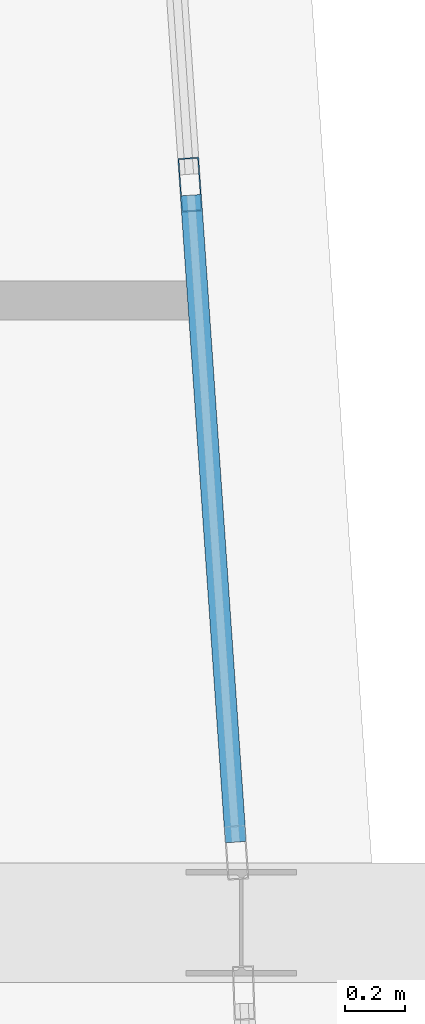
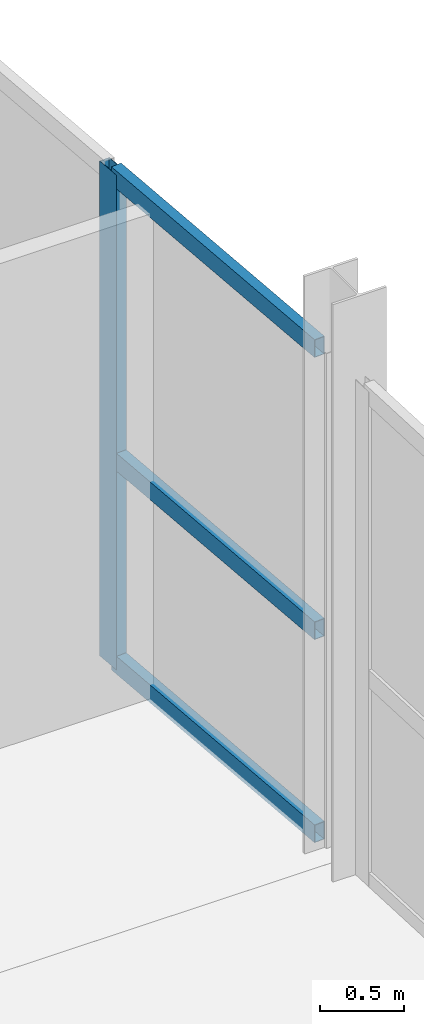
# One storey, part 5 of 17: 4 members, 1 element without a shape of its own.
"""IFC4 building model written with IfcOpenShell, lengths in metres."""

from ifc_helpers import new_model, si_unit, direction, frame, origin, origin_2d, place, context, subcontext, project, spatial, hollow_rectangle, extrude, material, layer, layer_set, material_profile, profile_set, type_object, element, aggregate, save


model = new_model("IFC4")

# Units and contexts
model_context = context("Model", 3, precision=1e-05, world=origin(), true_north=direction((0.0, 1.0)))
body_context = subcontext(model_context, "Body", "Model", "MODEL_VIEW")
ifc_project = project(units=[si_unit("LENGTHUNIT", "METRE"), si_unit("AREAUNIT", "SQUARE_METRE"), si_unit("VOLUMEUNIT", "CUBIC_METRE"), si_unit("PLANEANGLEUNIT", "RADIAN"), si_unit("MASSUNIT", "GRAM", prefix="KILO")], contexts=[model_context])

# Site, building, storey
site_placement = place(None, origin())
site = spatial("IfcSite", under=ifc_project, at=site_placement, CompositionType="ELEMENT")
building_placement = place(site_placement, origin())
building = spatial("IfcBuilding", under=site, at=building_placement, Name="Quillay Park Conservatory", CompositionType="ELEMENT")
storey_placement = place(building_placement, frame((0.0, 0.0, 47.699951171875)))
storey = spatial("IfcBuildingStorey", under=building, at=storey_placement, Name="L11", CompositionType="ELEMENT", Elevation=47.699951171875)

# Curtain wall, members
ifc_material_1 = material(Name="Thermally Broken Anodised Aluminium 6063-T6", Category="aluminium")
ifc_layer = layer(ifc_material_1, 0.179931640625)
ifc_layer_set = layer_set([ifc_layer], Name="UNITISED CURTAIN WALL TOWER (Thermally Broken Anodised Aluminium 6063-T6)")
curtain_wall_type = type_object("IfcCurtainWallType", Name="UNITISED CURTAIN WALL TOWER", PredefinedType="USERDEFINED", material=ifc_layer_set)
curtain_wall_placement = place(storey_placement, origin())
curtain_wall = element("IfcCurtainWall", 1, at=curtain_wall_placement, inside=storey, type_object=curtain_wall_type, Name="L11 Unitised Curtain Wall 108", ObjectType="UNITISED CURTAIN WALL", PredefinedType="USERDEFINED")
ifc_material_2 = material(Name="Thermally Broken Anodised Aluminium 6063-T6", Category="aluminium")
ifc_material_profile_1 = material_profile(ifc_material_2, hollow_rectangle(XDim=0.070068359375, YDim=0.179931640625, WallThickness=0.00390625, at=origin_2d()), Name="AL70x180x4")
ifc_profile_set_1 = profile_set([ifc_material_profile_1], Name="Thermally Broken Anodised Aluminium 6063-T6")
member_type_1 = type_object("IfcMemberType", Name="CURTAIN WALL MULLION 70 X180", PredefinedType="MULLION", material=ifc_profile_set_1)
member_1_placement = place(storey_placement, frame((24.878662109375, 102.06640625, 0.0), z_axis=(0.0, 0.0, 1.0), x_axis=(0.99759835015, 0.069264217159, 0.0)))
member_1 = element("IfcMember", 2, at=member_1_placement, type_object=member_type_1, Name="CW-T1 mullion 3", PredefinedType="MULLION", context=body_context, shape_type="SweptSolid", body=[
    extrude(hollow_rectangle(XDim=0.070068359375, YDim=0.179931640625, WallThickness=0.00390625, at=origin_2d()), origin(), (0.0, 0.0, 1.0), 3.59912109375),
])
ifc_material_3 = material(Name="Thermally Broken Anodised Aluminium 6063-T6", Category="aluminium")
ifc_material_profile_2 = material_profile(ifc_material_3, hollow_rectangle(XDim=0.070068359375, YDim=0.1298828125, WallThickness=0.003173828125, at=origin_2d()), Name="AL70x130x3.2")
ifc_profile_set_2 = profile_set([ifc_material_profile_2], Name="Thermally Broken Anodised Aluminium 6063-T6")
member_type_2 = type_object("IfcMemberType", Name="CURTAIN WALL TRANSOM 70 X130", PredefinedType="USERDEFINED", material=ifc_profile_set_2)
member_2_placement = place(storey_placement, frame((24.881103515625, 102.031494140625, 0.03515625), z_axis=(0.069277598678, -0.997597420968, 0.0), x_axis=(0.997597420968, 0.069277598678, 0.0)))
member_2 = element("IfcMember", 3, at=member_2_placement, type_object=member_type_2, Name="CW-T1 transom 3.1", ObjectType="TRANSOM", PredefinedType="USERDEFINED", context=body_context, shape_type="SweptSolid", body=[
    extrude(hollow_rectangle(XDim=0.070068359375, YDim=0.1298828125, WallThickness=0.003173828125, at=origin_2d()), origin(), (0.0, 0.0, 1.0), 2.167236328125),
])
member_3_placement = place(storey_placement, frame((24.881103515625, 102.031494140625, 1.51171875), z_axis=(0.069277598678, -0.997597420968, 0.0), x_axis=(0.997597420968, 0.069277598678, 0.0)))
member_3 = element("IfcMember", 4, at=member_3_placement, type_object=member_type_2, Name="CW-T1 transom 3.2", ObjectType="TRANSOM", PredefinedType="USERDEFINED", context=body_context, shape_type="SweptSolid", body=[
    extrude(hollow_rectangle(XDim=0.070068359375, YDim=0.1298828125, WallThickness=0.003173828125, at=origin_2d()), origin(), (0.0, 0.0, 1.0), 2.167236328125),
])
member_4_placement = place(storey_placement, frame((24.881103515625, 102.031494140625, 3.56396484375), z_axis=(0.069277598678, -0.997597420968, 0.0), x_axis=(0.997597420968, 0.069277598678, 0.0)))
member_4 = element("IfcMember", 5, at=member_4_placement, type_object=member_type_2, Name="CW-T1 transom 3.3", ObjectType="TRANSOM", PredefinedType="USERDEFINED", context=body_context, shape_type="SweptSolid", body=[
    extrude(hollow_rectangle(XDim=0.070068359375, YDim=0.1298828125, WallThickness=0.003173828125, at=origin_2d()), origin(), (0.0, 0.0, 1.0), 2.167236328125),
])
aggregate(curtain_wall, [member_1, member_2, member_3, member_4])

save(model, "model.ifc")
